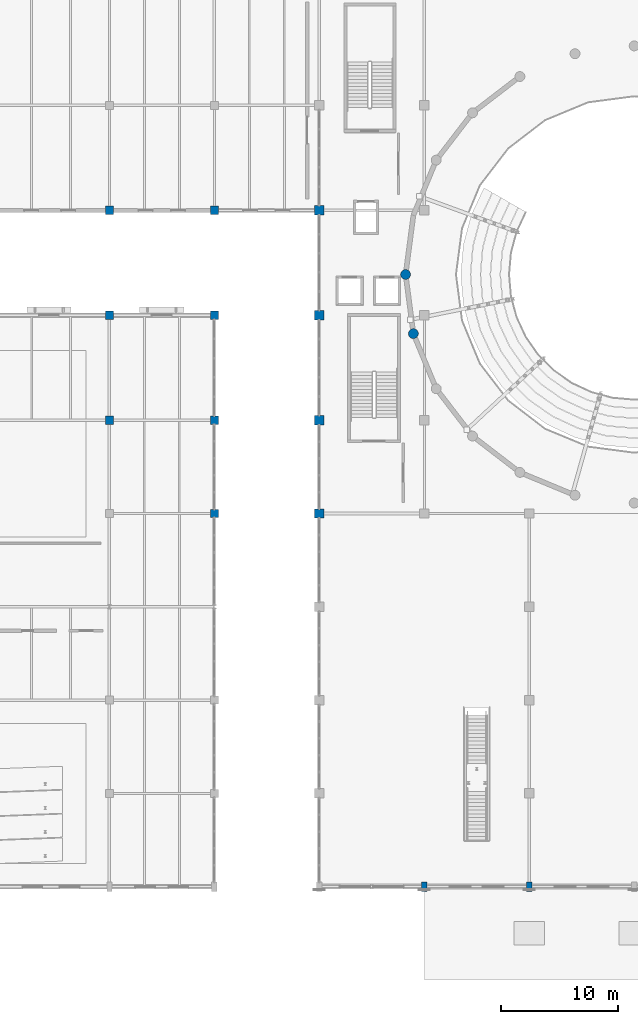
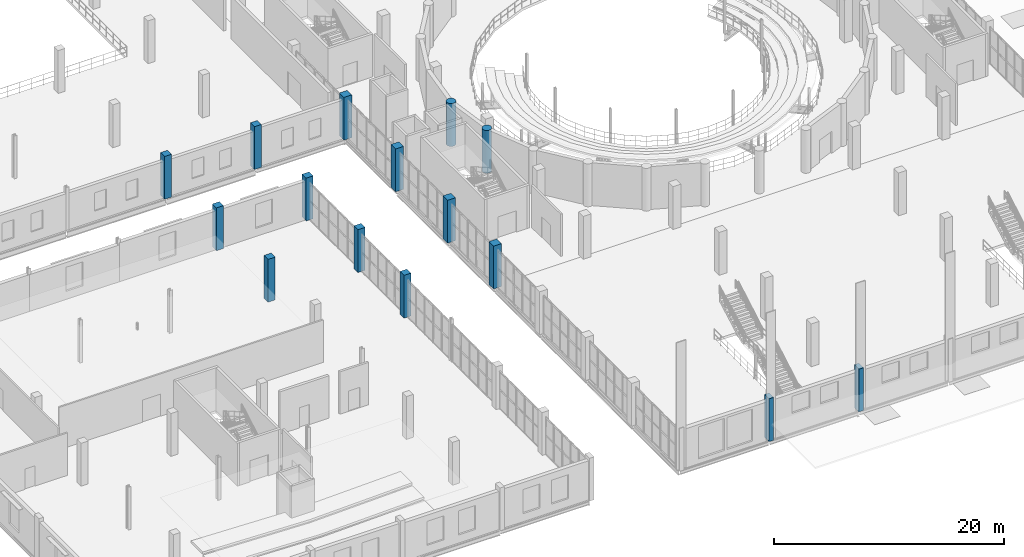
# One storey, part 4 of 93: 15 columns.
"""IFC4 building model written with IfcOpenShell, lengths in metres."""

import ifcopenshell
import ifcopenshell.guid

model = None  # the IFC model being written
_history = None  # IfcOwnerHistory: only IFC2X3 demands one
_inside = {}  # id of a spatial element -> (the spatial element, [elements in it])
_under = {}  # id of a project, library or spatial element -> (it, [spatial elements below it])
_declared = {}  # id of a project -> (the project, [libraries it declares])
_typed = {}  # id of a type object -> (the type object, [elements of that type])
_made_of = {}  # id of a material, layer set ... -> (it, [elements and type objects made of it])


def new_model(schema):
    """Start an empty IFC model of exactly this schema.

    Asked for "IFC4X3", IfcOpenShell would pick the latest addendum, in which some entities
    have other attributes; the version numbers below select the first issue.
    IFC2X3 requires an IfcOwnerHistory on every rooted entity: one is made here for all.
    """
    global model, _history
    if schema == "IFC4X3":
        model = ifcopenshell.file(schema_version=(4, 3, 0, 0))
    else:
        model = ifcopenshell.file(schema=schema)
    _inside.clear()
    _under.clear()
    _declared.clear()
    _typed.clear()
    _made_of.clear()
    _history = None
    if model.schema == "IFC2X3":
        org = make("IfcOrganization", Name="unknown")
        user = make(
            "IfcPersonAndOrganization",
            ThePerson=make("IfcPerson", FamilyName="unknown"),
            TheOrganization=org,
        )
        app = make(
            "IfcApplication",
            ApplicationDeveloper=org,
            Version="unknown",
            ApplicationFullName="unknown",
            ApplicationIdentifier="unknown",
        )
        _history = make(
            "IfcOwnerHistory",
            OwningUser=user,
            OwningApplication=app,
            ChangeAction="ADDED",
            CreationDate=0,
        )
    return model


def make(cls, **values):
    """One entity of the class cls with the attributes given. An attribute that is None is left unset."""
    return model.create_entity(
        cls, **{name: value for name, value in values.items() if value is not None}
    )


def rooted(cls, **values):
    """An entity with a GlobalId (a new one), such as an element, a storey or a relation."""
    return make(cls, GlobalId=ifcopenshell.guid.new(), OwnerHistory=_history, **values)


def si_unit(unit_type, name, prefix=None):
    """IfcSIUnit, for example si_unit("LENGTHUNIT", "METRE", prefix="MILLI")."""
    return make("IfcSIUnit", UnitType=unit_type, Prefix=prefix, Name=name)


def assignment(units):
    """IfcUnitAssignment: the units of a project."""
    return None if units is None else make("IfcUnitAssignment", Units=units)


def point(xyz):
    """IfcCartesianPoint."""
    return None if xyz is None else make("IfcCartesianPoint", Coordinates=xyz)


def direction(xyz):
    """IfcDirection."""
    return None if xyz is None else make("IfcDirection", DirectionRatios=xyz)


def frame(location, z_axis=None, x_axis=None):
    """IfcAxis2Placement3D, a coordinate frame: its origin and axes. An axis left out is left unset."""
    return make(
        "IfcAxis2Placement3D",
        Location=point(location),
        Axis=direction(z_axis),
        RefDirection=direction(x_axis),
    )


def frame_2d(location, x_axis=None):
    """IfcAxis2Placement2D, a coordinate frame in the plane: its origin and x axis."""
    return make(
        "IfcAxis2Placement2D", Location=point(location), RefDirection=direction(x_axis)
    )


def origin():
    """The frame at (0, 0, 0) with its axes left unset."""
    return frame((0.0, 0.0, 0.0))


def origin_2d():
    """The frame at (0, 0) in the plane with its x axis left unset."""
    return frame_2d((0.0, 0.0))


def place(relative_to, where):
    """IfcLocalPlacement: puts the frame where relative to a parent placement (None: the world)."""
    return make(
        "IfcLocalPlacement", PlacementRelTo=relative_to, RelativePlacement=where
    )


def context(
    kind, dimensions, precision=None, world=None, true_north=None, identifier=None
):
    """IfcGeometricRepresentationContext, for example the 3D "Model" context."""
    return make(
        "IfcGeometricRepresentationContext",
        ContextIdentifier=identifier,
        ContextType=kind,
        CoordinateSpaceDimension=dimensions,
        Precision=precision,
        WorldCoordinateSystem=world,
        TrueNorth=true_north,
    )


def subcontext(parent, identifier, kind, view, scale=None):
    """IfcGeometricRepresentationSubContext, for example "Body" below "Model"."""
    return make(
        "IfcGeometricRepresentationSubContext",
        ContextIdentifier=identifier,
        ContextType=kind,
        ParentContext=parent,
        TargetScale=scale,
        TargetView=view,
    )


def project(units=None, contexts=None):
    """IfcProject with its units and contexts."""
    return rooted(
        "IfcProject",
        Name="project",
        RepresentationContexts=contexts,
        UnitsInContext=assignment(units),
    )


def spatial(cls, under=None, at=None, **own):
    """A site, building, storey or space (cls), placed at a placement, below another one or the project."""
    s = rooted(cls, ObjectPlacement=at, **own)
    if under is not None:
        _under.setdefault(under.id(), (under, []))[1].append(s)
    return s


def profile(cls, at=None, kind="AREA", **sizes):
    """A parametric profile (cls). Its sizes go by their IFC names, for example OverallWidth=200.0."""
    return make(cls, ProfileType=kind, Position=at, **sizes)


def rectangle(**sizes):
    """IfcRectangleProfileDef."""
    return profile("IfcRectangleProfileDef", **sizes)


def circle(**sizes):
    """IfcCircleProfileDef."""
    return profile("IfcCircleProfileDef", **sizes)


def extrude(swept, where, along, depth):
    """IfcExtrudedAreaSolid: the profile swept, set in the frame where, extruded along a direction by depth."""
    return make(
        "IfcExtrudedAreaSolid",
        SweptArea=swept,
        Position=where,
        ExtrudedDirection=direction(along),
        Depth=depth,
    )


def shape(context_of_items, identifier, shape_type, items):
    """IfcShapeRepresentation: the items that make up one representation, for example the "Body"."""
    return make(
        "IfcShapeRepresentation",
        ContextOfItems=context_of_items,
        RepresentationIdentifier=identifier,
        RepresentationType=shape_type,
        Items=items,
    )


def material(Name=None, Category=None):
    """IfcMaterial."""
    return make("IfcMaterial", Name=Name, Category=Category)


def material_profile(
    of_material, cross_section, Name=None, Category=None, Priority=None
):
    """IfcMaterialProfile: a cross section and its material."""
    return make(
        "IfcMaterialProfile",
        Name=Name,
        Material=of_material,
        Profile=cross_section,
        Priority=Priority,
        Category=Category,
    )


def profile_set(profiles, Name=None, composite=None):
    """IfcMaterialProfileSet."""
    return make(
        "IfcMaterialProfileSet",
        Name=Name,
        MaterialProfiles=profiles,
        CompositeProfile=composite,
    )


def made_of(thing, what):
    """Note that an element or type object is made of a material, layer set ...; save() writes the relation."""
    if what is not None:
        _made_of.setdefault(what.id(), (what, []))[1].append(thing)
    return thing


def type_object(cls, material=None, **own):
    """A type object (cls), such as IfcWallType, which elements share."""
    return made_of(rooted(cls, **own), material)


def element(
    cls,
    number,
    at=None,
    inside=None,
    cuts=None,
    type_object=None,
    material=None,
    context=None,
    identifier="Body",
    shape_type=None,
    held_by="IfcProductDefinitionShape",
    body=None,
    shapes=None,
    **own,
):
    """One element of the class cls, such as IfcWall. Its Tag is "e" and its number.

    at: its placement. inside: the storey or other place that contains it. cuts: it is an
    opening in that element (IfcRelVoidsElement). A single representation is given by context,
    identifier, shape_type and body (its items); several are given by shapes. held_by: the class
    of the entity that holds the representations. save() writes the other relations.
    """
    e = rooted(cls, Tag="e%d" % number, ObjectPlacement=at, **own)
    if body is not None:
        shapes = [shape(context, identifier, shape_type, body)]
    if shapes is not None:
        e.Representation = make(held_by, Representations=shapes)
    if inside is not None:
        _inside.setdefault(inside.id(), (inside, []))[1].append(e)
    if cuts is not None:
        rooted(
            "IfcRelVoidsElement", RelatingBuildingElement=cuts, RelatedOpeningElement=e
        )
    if type_object is not None:
        _typed.setdefault(type_object.id(), (type_object, []))[1].append(e)
    return made_of(e, material)


def aggregate(whole, parts):
    """IfcRelAggregates: a whole, such as a stair, and the parts it consists of."""
    return rooted("IfcRelAggregates", RelatingObject=whole, RelatedObjects=parts)


def save(model, path):
    """Write the relations noted so far, then the file.

    IfcRelAggregates (storeys below a building ...), IfcRelContainedInSpatialStructure (elements
    in a storey), IfcRelDefinesByType, IfcRelAssociatesMaterial and IfcRelDeclares: one each for
    every whole, place, type object, material and project.
    """
    for whole, parts in _under.values():
        aggregate(whole, parts)
    for where, things in _inside.values():
        rooted(
            "IfcRelContainedInSpatialStructure",
            RelatedElements=things,
            RelatingStructure=where,
        )
    for kind, things in _typed.values():
        rooted("IfcRelDefinesByType", RelatedObjects=things, RelatingType=kind)
    for what, things in _made_of.values():
        rooted("IfcRelAssociatesMaterial", RelatedObjects=things, RelatingMaterial=what)
    for by, libraries in _declared.values():
        rooted("IfcRelDeclares", RelatingContext=by, RelatedDefinitions=libraries)
    model.write(path)


model = new_model("IFC4")

# Units and contexts
model_context = context("Model", 3, precision=1e-05, world=origin(), true_north=direction((0.0, 1.0)))
body_context = subcontext(model_context, "Body", "Model", "MODEL_VIEW")
ifc_project = project(units=[si_unit("LENGTHUNIT", "METRE"), si_unit("AREAUNIT", "SQUARE_METRE"), si_unit("VOLUMEUNIT", "CUBIC_METRE"), si_unit("PLANEANGLEUNIT", "RADIAN"), si_unit("MASSUNIT", "GRAM", prefix="KILO")], contexts=[model_context])

# Site, building, storey
site_placement = place(None, origin())
site = spatial("IfcSite", under=ifc_project, at=site_placement, CompositionType="ELEMENT")
building_placement = place(site_placement, origin())
building = spatial("IfcBuilding", under=site, at=building_placement, Name="Marnock Terrace Opera House", CompositionType="ELEMENT")
storey_placement = place(building_placement, frame((0.0, 0.0, 5.39990234375)))
storey = spatial("IfcBuildingStorey", under=building, at=storey_placement, Name="L01", CompositionType="ELEMENT", Elevation=5.39990234375)

# Columns
ifc_material_1 = material(Name="Concrete N50 (f'c = 50 MPa)", Category="concrete")
ifc_material_profile_1 = material_profile(ifc_material_1, circle(Radius=0.425048828125, at=origin_2d()))
ifc_profile_set_1 = profile_set([ifc_material_profile_1], Name="Concrete N50 (f'c = 50 MPa)")
column_type_1 = type_object("IfcColumnType", Name="COL-DRUM-850", PredefinedType="COLUMN", material=ifc_profile_set_1)
for number, where, z_axis, x_axis, name in (
    (1, (62.39990234375, 60.5, 0.0), (0.0, 0.0, 1.0), (1.0, 0.0, 0.0), "L01 auditorium drum pier 13"),
    (2, (63.068115234375, 55.427001953125, 0.0), (0.0, 0.0, 1.0), (1.0, 0.0, 0.0), "L01 auditorium drum pier 14"),
):
    element("IfcColumn", number, at=place(storey_placement, frame(where, z_axis=z_axis, x_axis=x_axis)), inside=storey, type_object=column_type_1, Name=name, PredefinedType="COLUMN", context=body_context, shape_type="SweptSolid", body=[
        extrude(circle(Radius=0.425048828125, at=origin_2d()), origin(), (0.0, 0.0, 1.0), 4.5400390625),
    ])
ifc_material_2 = material(Name="Concrete N40 (f'c = 40 MPa)", Category="concrete")
ifc_material_profile_2 = material_profile(ifc_material_2, rectangle(XDim=0.449951171875, YDim=0.800048828125, at=origin_2d()))
ifc_profile_set_2 = profile_set([ifc_material_profile_2], Name="Concrete N40 (f'c = 40 MPa)")
column_type_2 = type_object("IfcColumnType", Name="COL-PIL-800", PredefinedType="PILASTER", material=ifc_profile_set_2)
for number, where, z_axis, x_axis, name in (
    (3, (64.0, 8.0, 0.0), (0.0, 0.0, 1.0), (1.0, 0.0, 0.0), "L01 column at (64.0, 8.0)"),
    (4, (73.0, 8.0, 0.0), (0.0, 0.0, 1.0), (1.0, 0.0, 0.0), "L01 column at (73.0, 8.0)"),
):
    element("IfcColumn", number, at=place(storey_placement, frame(where, z_axis=z_axis, x_axis=x_axis)), inside=storey, type_object=column_type_2, Name=name, PredefinedType="PILASTER", context=body_context, shape_type="SweptSolid", body=[
        extrude(rectangle(XDim=0.449951171875, YDim=0.800048828125, at=origin_2d()), origin(), (0.0, 0.0, 1.0), 4.5400390625),
    ])
ifc_material_profile_3 = material_profile(ifc_material_2, rectangle(XDim=0.699951171875, YDim=0.699951171875, at=origin_2d()))
ifc_profile_set_3 = profile_set([ifc_material_profile_3], Name="Concrete N40 (f'c = 40 MPa)")
column_type_3 = type_object("IfcColumnType", Name="COL-RC700", PredefinedType="COLUMN", material=ifc_profile_set_3)
for number, where, z_axis, x_axis, name in (
    (5, (37.0, 48.0, 0.0), (0.0, 0.0, 1.0), (1.0, 0.0, 0.0), "L01 column at (37.0, 48.0)"),
    (6, (37.0, 57.0, 0.0), (0.0, 0.0, 1.0), (1.0, 0.0, 0.0), "L01 column at (37.0, 57.0)"),
    (7, (37.0, 66.0, 0.0), (0.0, 0.0, 1.0), (1.0, 0.0, 0.0), "L01 column at (37.0, 66.0)"),
    (8, (46.0, 40.0, 0.0), (0.0, 0.0, 1.0), (1.0, 0.0, 0.0), "L01 column at (46.0, 40.0)"),
    (9, (46.0, 48.0, 0.0), (0.0, 0.0, 1.0), (1.0, 0.0, 0.0), "L01 column at (46.0, 48.0)"),
    (10, (46.0, 57.0, 0.0), (0.0, 0.0, 1.0), (1.0, 0.0, 0.0), "L01 column at (46.0, 57.0)"),
    (11, (46.0, 66.0, 0.0), (0.0, 0.0, 1.0), (1.0, 0.0, 0.0), "L01 column at (46.0, 66.0)"),
):
    element("IfcColumn", number, at=place(storey_placement, frame(where, z_axis=z_axis, x_axis=x_axis)), inside=storey, type_object=column_type_3, Name=name, PredefinedType="COLUMN", context=body_context, shape_type="SweptSolid", body=[
        extrude(rectangle(XDim=0.699951171875, YDim=0.699951171875, at=origin_2d()), origin(), (0.0, 0.0, 1.0), 4.5400390625),
    ])
ifc_material_profile_4 = material_profile(ifc_material_1, rectangle(XDim=0.800048828125, YDim=0.800048828125, at=origin_2d()))
ifc_profile_set_4 = profile_set([ifc_material_profile_4], Name="Concrete N50 (f'c = 50 MPa)")
column_type_4 = type_object("IfcColumnType", Name="COL-RC800", PredefinedType="COLUMN", material=ifc_profile_set_4)
for number, where, z_axis, x_axis, name in (
    (12, (55.0, 40.0, 0.0), (0.0, 0.0, 1.0), (1.0, 0.0, 0.0), "L01 column at (55.0, 40.0)"),
    (13, (55.0, 48.0, 0.0), (0.0, 0.0, 1.0), (1.0, 0.0, 0.0), "L01 column at (55.0, 48.0)"),
    (14, (55.0, 57.0, 0.0), (0.0, 0.0, 1.0), (1.0, 0.0, 0.0), "L01 column at (55.0, 57.0)"),
    (15, (55.0, 66.0, 0.0), (0.0, 0.0, 1.0), (1.0, 0.0, 0.0), "L01 column at (55.0, 66.0)"),
):
    element("IfcColumn", number, at=place(storey_placement, frame(where, z_axis=z_axis, x_axis=x_axis)), inside=storey, type_object=column_type_4, Name=name, PredefinedType="COLUMN", context=body_context, shape_type="SweptSolid", body=[
        extrude(rectangle(XDim=0.800048828125, YDim=0.800048828125, at=origin_2d()), origin(), (0.0, 0.0, 1.0), 4.5400390625),
    ])

save(model, "model.ifc")
